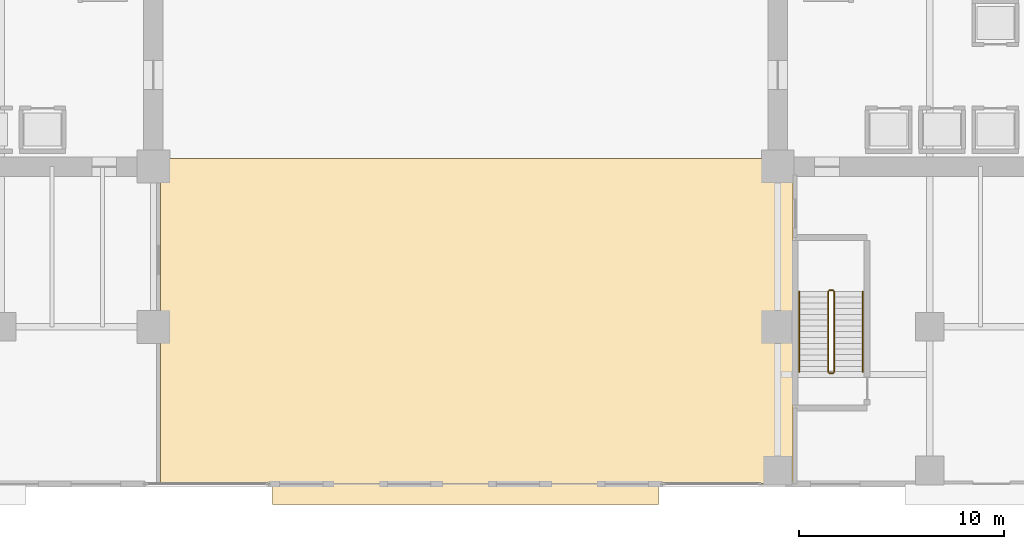
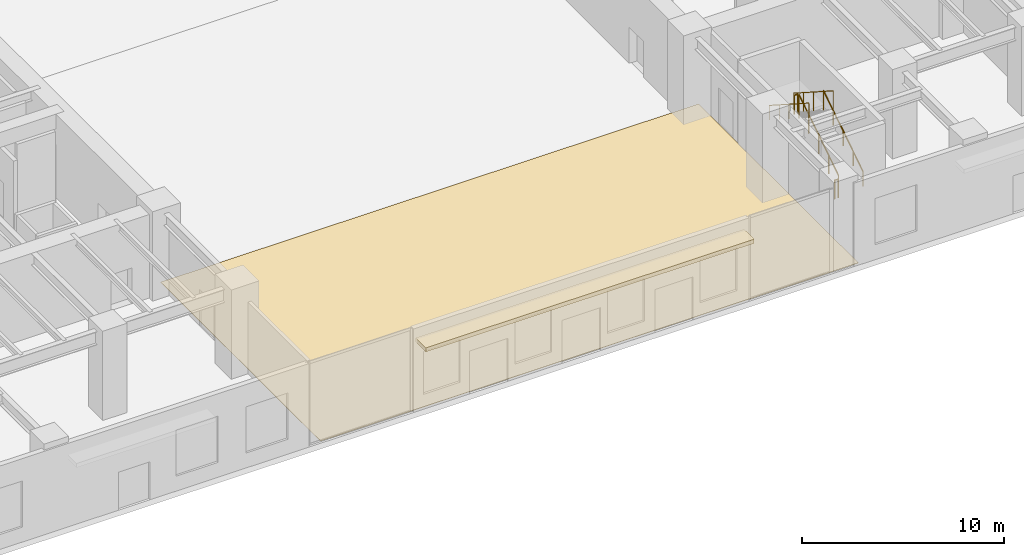
# One storey, part 25 of 28: 6 railings, 2 coverings.
"""IFC4 building model written with IfcOpenShell, lengths in metres."""

from ifc_helpers import new_model, si_unit, direction, frame, origin, origin_2d, place, context, subcontext, project, spatial, polyline, circle, outline, extrude, source, transform, mapped, material, layer, layer_set, type_object, type_shapes, element, save


model = new_model("IFC4")

# Units and contexts
model_context = context("Model", 3, precision=1e-05, world=origin(), true_north=direction((0.0, 1.0)))
body_context = subcontext(model_context, "Body", "Model", "MODEL_VIEW")
ifc_project = project(units=[si_unit("LENGTHUNIT", "METRE"), si_unit("AREAUNIT", "SQUARE_METRE"), si_unit("VOLUMEUNIT", "CUBIC_METRE"), si_unit("PLANEANGLEUNIT", "RADIAN"), si_unit("MASSUNIT", "GRAM", prefix="KILO")], contexts=[model_context])

# Site, building, storey
site_placement = place(None, origin())
site = spatial("IfcSite", under=ifc_project, at=site_placement, CompositionType="ELEMENT")
building_placement = place(site_placement, origin())
building = spatial("IfcBuilding", under=site, at=building_placement, Name="Haelvirn Gate Laboratories", CompositionType="ELEMENT")
storey_placement = place(building_placement, origin())
storey = spatial("IfcBuildingStorey", under=building, at=storey_placement, Name="L01", CompositionType="ELEMENT", Elevation=0.0)

# Coverings
ifc_material_1 = material(Name="Anodised bronze honeycomb aluminium spandrel cladding", Category="aluminium")
ifc_layer_1 = layer(ifc_material_1, 0.044921875, Name="COV-CLAD-BRZ")
ifc_layer_set_1 = layer_set([ifc_layer_1], Name="Anodised bronze honeycomb aluminium spandrel cladding")
covering_type_1 = type_object("IfcCoveringType", Name="COV-CLAD-BRZ", PredefinedType="CLADDING", material=ifc_layer_set_1)
covering_1_placement = place(storey_placement, frame((0.0, 0.0, 4.10009765625)))
element("IfcCovering", 1, at=covering_1_placement, inside=storey, type_object=covering_type_1, Name="L01 Bronze Entrance Weather Hood C", PredefinedType="CLADDING", context=body_context, shape_type="SweptSolid", body=[
    extrude(outline(polyline([(28.0, -1.64990234375), (46.800048828125, -1.64990234375), (46.800048828125, -0.64990234375), (28.0, -0.64990234375), (28.0, -1.64990234375)])), origin(), (0.0, 0.0, 1.0), 0.25),
])
ifc_material_2 = material(Name="Honed granite concourse terrazzo flooring", Category="masonry")
ifc_layer_2 = layer(ifc_material_2, 0.02490234375, Name="COV-FLR-TERRA")
ifc_layer_set_2 = layer_set([ifc_layer_2], Name="Honed granite concourse terrazzo flooring")
covering_type_2 = type_object("IfcCoveringType", Name="COV-FLR-TERRA", PredefinedType="FLOORING", material=ifc_layer_set_2)
covering_2_placement = place(storey_placement, origin())
element("IfcCovering", 2, at=covering_2_placement, inside=storey, type_object=covering_type_2, Name="L01 Seamless Laboratory Flooring FLR-SP-L01-CONCOURSE-S", PredefinedType="FLOORING", context=body_context, shape_type="SweptSolid", body=[
    extrude(outline(polyline([(22.550048828125, 15.199951171875), (52.25, 15.199951171875), (53.340087890625, 15.199951171875), (53.340087890625, -0.64990234375), (22.550048828125, -0.64990234375), (22.550048828125, 15.199951171875)])), origin(), (0.0, 0.0, 1.0), 0.02490234375),
])

# Railings
ifc_material_3 = material(Name="Galvanised steel SM355 & stainless top rail", Category="steel")
railing_type_1 = type_object("IfcRailingType", Name="RL-GUARD-1150", PredefinedType="GUARDRAIL", material=ifc_material_3)
shared_shape_1 = source(origin(), body_context, "Body", "SweptSolid", [
    extrude(circle(Radius=0.02392578125, at=origin_2d()), frame((0.0, 0.0, 1.1259765625), z_axis=(-1.0, 0.0, 0.0), x_axis=(0.0, -1.0, 0.0)), (0.0, 0.0, 1.0), 0.199951171875),
    extrude(circle(Radius=0.02099609375, at=origin_2d()), origin(), (0.0, 0.0, 1.0), 1.101806640625),
    extrude(circle(Radius=0.02099609375, at=origin_2d()), frame((-0.199951171875, 0.0, 0.0)), (0.0, 0.0, 1.0), 1.101806640625),
])
for number, where, name in (
    (3, (55.300048828125, 8.77001953125, 2.699951171875), "L01 ST4 stair guard 2"),
    (4, (55.300048828125, 4.75, 0.0), "L01 ST4 stair guard 4"),
):
    element("IfcRailing", number, at=place(storey_placement, frame(where)), inside=storey, type_object=railing_type_1, Name=name, PredefinedType="GUARDRAIL", context=body_context, shape_type="MappedRepresentation", body=[
        mapped(shared_shape_1, transform((0.0, 0.0, 0.0), scale=1.0)),
    ])
shared_shape_2 = source(origin(), body_context, "Body", "SweptSolid", [
    extrude(circle(Radius=0.02392578125, at=origin_2d()), frame((0.0, 0.0, 1.1259765625), z_axis=(0.0, 0.841171666519, 0.540768182723), x_axis=(-1.0, 0.0, 0.0)), (0.0, 0.0, 1.0), 4.66015625),
    extrude(circle(Radius=0.02099609375, at=origin_2d()), origin(), (0.0, 0.0, 1.0), 1.101806640625),
    extrude(circle(Radius=0.02099609375, at=origin_2d()), frame((0.0, 0.97998046875, 0.6298828125)), (0.0, 0.0, 1.0), 1.101806640625),
    extrude(circle(Radius=0.02099609375, at=origin_2d()), frame((0.0, 1.9599609375, 1.260009765625)), (0.0, 0.0, 1.0), 1.101806640625),
    extrude(circle(Radius=0.02099609375, at=origin_2d()), frame((0.0, 2.93994140625, 1.89013671875)), (0.0, 0.0, 1.0), 1.101806640625),
    extrude(circle(Radius=0.02099609375, at=origin_2d()), frame((0.0, 3.919921875, 2.52001953125)), (0.0, 0.0, 1.0), 1.101806640625),
])
railing_1_placement = place(storey_placement, frame((55.35009765625, 4.800048828125, 0.179931640625)))
element("IfcRailing", 5, at=railing_1_placement, inside=storey, type_object=railing_type_1, Name="L01 ST4 stair guard 1", PredefinedType="GUARDRAIL", context=body_context, shape_type="MappedRepresentation", body=[
    mapped(shared_shape_2, transform((0.0, 0.0, 0.0), scale=1.0)),
])
shared_shape_3 = source(origin(), body_context, "Body", "SweptSolid", [
    extrude(circle(Radius=0.02392578125, at=origin_2d()), frame((0.0, 0.0, 1.1259765625), z_axis=(0.0, -0.841171666519, 0.540768182723), x_axis=(1.0, 0.0, 0.0)), (0.0, 0.0, 1.0), 4.66015625),
    extrude(circle(Radius=0.02099609375, at=origin_2d()), origin(), (0.0, 0.0, 1.0), 1.101806640625),
    extrude(circle(Radius=0.02099609375, at=origin_2d()), frame((0.0, -0.97998046875, 0.6298828125)), (0.0, 0.0, 1.0), 1.101806640625),
    extrude(circle(Radius=0.02099609375, at=origin_2d()), frame((0.0, -1.9599609375, 1.260009765625)), (0.0, 0.0, 1.0), 1.101806640625),
    extrude(circle(Radius=0.02099609375, at=origin_2d()), frame((0.0, -2.93994140625, 1.89013671875)), (0.0, 0.0, 1.0), 1.101806640625),
    extrude(circle(Radius=0.02099609375, at=origin_2d()), frame((0.0, -3.919921875, 2.52001953125)), (0.0, 0.0, 1.0), 1.101806640625),
])
type_shapes(railing_type_1, [shared_shape_1, shared_shape_2, shared_shape_3])
railing_2_placement = place(storey_placement, frame((55.050048828125, 8.719970703125, 2.8798828125)))
element("IfcRailing", 6, at=railing_2_placement, inside=storey, type_object=railing_type_1, Name="L01 ST4 stair guard 3", PredefinedType="GUARDRAIL", context=body_context, shape_type="MappedRepresentation", body=[
    mapped(shared_shape_3, transform((0.0, 0.0, 0.0), scale=1.0)),
])
ifc_material_4 = material(Name="Brushed stainless steel 316L", Category="steel")
railing_type_2 = type_object("IfcRailingType", Name="RL-HAND-920", PredefinedType="HANDRAIL", material=ifc_material_4)
shared_shape_4 = source(origin(), body_context, "Body", "SweptSolid", [
    extrude(circle(Radius=0.02392578125, at=origin_2d()), frame((0.0, 0.0, 0.8759765625), z_axis=(0.0, 0.841171666519, 0.540768182723), x_axis=(-1.0, 0.0, 0.0)), (0.0, 0.0, 1.0), 4.66015625),
    extrude(circle(Radius=0.02099609375, at=origin_2d()), origin(), (0.0, 0.0, 1.0), 0.851806640625),
    extrude(circle(Radius=0.02099609375, at=origin_2d()), frame((0.0, 0.97998046875, 0.6298828125)), (0.0, 0.0, 1.0), 0.851806640625),
    extrude(circle(Radius=0.02099609375, at=origin_2d()), frame((0.0, 1.9599609375, 1.260009765625)), (0.0, 0.0, 1.0), 0.851806640625),
    extrude(circle(Radius=0.02099609375, at=origin_2d()), frame((0.0, 2.93994140625, 1.89013671875)), (0.0, 0.0, 1.0), 0.851806640625),
    extrude(circle(Radius=0.02099609375, at=origin_2d()), frame((0.0, 3.919921875, 2.52001953125)), (0.0, 0.0, 1.0), 0.851806640625),
])
railing_3_placement = place(storey_placement, frame((56.75, 4.800048828125, 0.179931640625)))
element("IfcRailing", 7, at=railing_3_placement, inside=storey, type_object=railing_type_2, Name="L01 ST4 stair handrail 1", PredefinedType="HANDRAIL", context=body_context, shape_type="MappedRepresentation", body=[
    mapped(shared_shape_4, transform((0.0, 0.0, 0.0), scale=1.0)),
])
shared_shape_5 = source(origin(), body_context, "Body", "SweptSolid", [
    extrude(circle(Radius=0.02392578125, at=origin_2d()), frame((0.0, 0.0, 0.8759765625), z_axis=(0.0, -0.841171666519, 0.540768182723), x_axis=(1.0, 0.0, 0.0)), (0.0, 0.0, 1.0), 4.66015625),
    extrude(circle(Radius=0.02099609375, at=origin_2d()), origin(), (0.0, 0.0, 1.0), 0.851806640625),
    extrude(circle(Radius=0.02099609375, at=origin_2d()), frame((0.0, -0.97998046875, 0.6298828125)), (0.0, 0.0, 1.0), 0.851806640625),
    extrude(circle(Radius=0.02099609375, at=origin_2d()), frame((0.0, -1.9599609375, 1.260009765625)), (0.0, 0.0, 1.0), 0.851806640625),
    extrude(circle(Radius=0.02099609375, at=origin_2d()), frame((0.0, -2.93994140625, 1.89013671875)), (0.0, 0.0, 1.0), 0.851806640625),
    extrude(circle(Radius=0.02099609375, at=origin_2d()), frame((0.0, -3.919921875, 2.52001953125)), (0.0, 0.0, 1.0), 0.851806640625),
])
type_shapes(railing_type_2, [shared_shape_4, shared_shape_5])
railing_4_placement = place(storey_placement, frame((53.64990234375, 8.719970703125, 2.8798828125)))
element("IfcRailing", 8, at=railing_4_placement, inside=storey, type_object=railing_type_2, Name="L01 ST4 stair handrail 2", PredefinedType="HANDRAIL", context=body_context, shape_type="MappedRepresentation", body=[
    mapped(shared_shape_5, transform((0.0, 0.0, 0.0), scale=1.0)),
])

save(model, "model.ifc")
